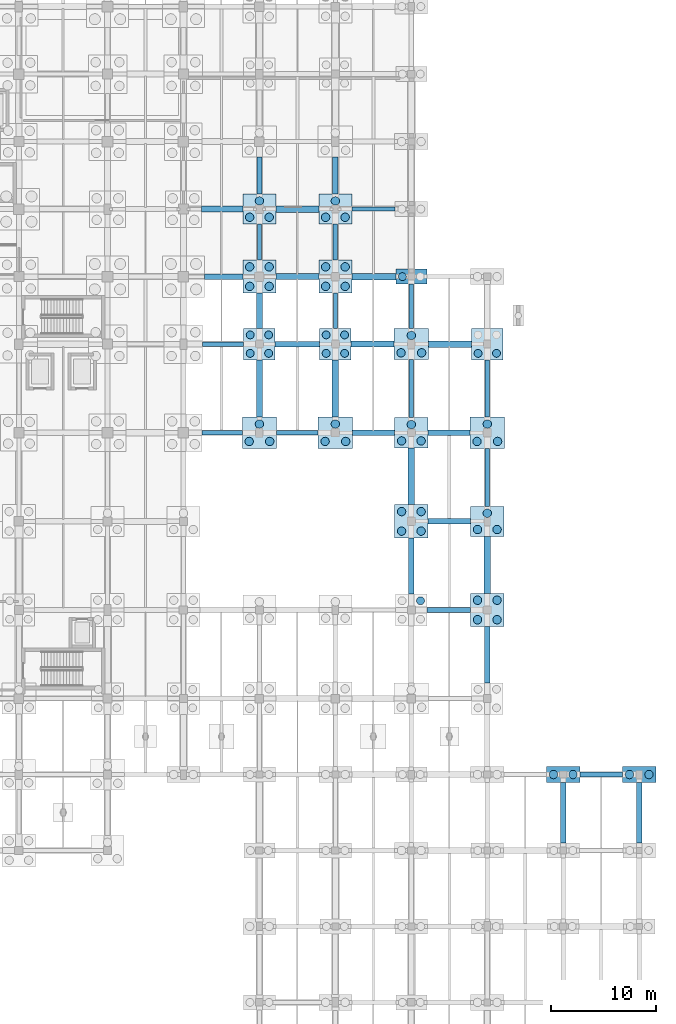
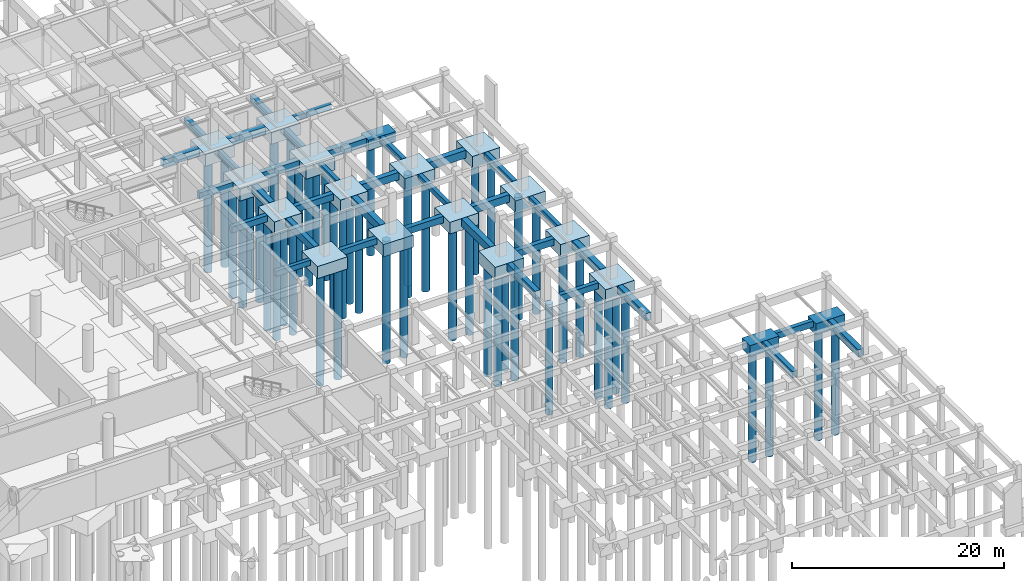
# One storey, part 14 of 44: 56 piles, 53 footings.
"""IFC4 building model written with IfcOpenShell, lengths in metres."""

from ifc_helpers import new_model, si_unit, direction, frame, origin, origin_2d, place, context, subcontext, project, spatial, rectangle, circle, extrude, material, material_profile, profile_set, type_object, element, save


model = new_model("IFC4")

# Units and contexts
model_context = context("Model", 3, precision=1e-05, world=origin(), true_north=direction((0.0, 1.0)))
body_context = subcontext(model_context, "Body", "Model", "MODEL_VIEW")
ifc_project = project(units=[si_unit("LENGTHUNIT", "METRE"), si_unit("AREAUNIT", "SQUARE_METRE"), si_unit("VOLUMEUNIT", "CUBIC_METRE"), si_unit("PLANEANGLEUNIT", "RADIAN"), si_unit("MASSUNIT", "GRAM", prefix="KILO")], contexts=[model_context])

# Site, building, storey
site_placement = place(None, origin())
site = spatial("IfcSite", under=ifc_project, at=site_placement, CompositionType="ELEMENT")
building_placement = place(site_placement, origin())
building = spatial("IfcBuilding", under=site, at=building_placement, Name="Korsvaeld Concert Hall", CompositionType="ELEMENT")
storey_placement = place(building_placement, frame((0.0, 0.0, -4.800048828125)))
storey = spatial("IfcBuildingStorey", under=building, at=storey_placement, Name="B1", CompositionType="ELEMENT", Elevation=-4.800048828125)

# Footings
ifc_material = material(Name="Concrete C35/45", Category="concrete")
ifc_material_profile_1 = material_profile(ifc_material, rectangle(XDim=0.39990234375, YDim=0.60009765625, at=origin_2d()), Name="GTB 400x600")
ifc_profile_set_1 = profile_set([ifc_material_profile_1], Name="Concrete C35/45")
footing_type_1 = type_object("IfcFootingType", Name="GTB-400x600", PredefinedType="FOOTING_BEAM", material=ifc_profile_set_1)
footing_1_placement = place(storey_placement, frame((126.574951171875, 68.39990234375, -0.300048828125), z_axis=(1.0, 0.0, 0.0), x_axis=(0.0, 1.0, 0.0)))
element("IfcFooting", 1, at=footing_1_placement, inside=storey, type_object=footing_type_1, Name="Ground tie beam 17-18/K", PredefinedType="FOOTING_BEAM", context=body_context, shape_type="SweptSolid", body=[
    extrude(rectangle(XDim=0.39990234375, YDim=0.60009765625, at=origin_2d()), origin(), (0.0, 0.0, 1.0), 3.800048828125),
])
footing_2_placement = place(storey_placement, frame((140.77490234375, 89.60009765625, -0.300048828125), z_axis=(1.0, 0.0, 0.0), x_axis=(0.0, 1.0, 0.0)))
element("IfcFooting", 2, at=footing_2_placement, inside=storey, type_object=footing_type_1, Name="Ground tie beam 19-20/N", PredefinedType="FOOTING_BEAM", context=body_context, shape_type="SweptSolid", body=[
    extrude(rectangle(XDim=0.39990234375, YDim=0.60009765625, at=origin_2d()), origin(), (0.0, 0.0, 1.0), 4.10009765625),
])
footing_3_placement = place(storey_placement, frame((132.0, 84.77490234375, -0.300048828125), z_axis=(0.0, 1.0, 0.0), x_axis=(-1.0, 0.0, 0.0)))
element("IfcFooting", 3, at=footing_3_placement, inside=storey, type_object=footing_type_1, Name="Ground tie beam 18/M-N", PredefinedType="FOOTING_BEAM", context=body_context, shape_type="SweptSolid", body=[
    extrude(rectangle(XDim=0.39990234375, YDim=0.60009765625, at=origin_2d()), origin(), (0.0, 0.0, 1.0), 3.400146484375),
])
footing_4_placement = place(storey_placement, frame((139.199951171875, 78.300048828125, -0.300048828125), z_axis=(0.0, 1.0, 0.0), x_axis=(-1.0, 0.0, 0.0)))
element("IfcFooting", 4, at=footing_4_placement, inside=storey, type_object=footing_type_1, Name="Ground tie beam 19/L-M", PredefinedType="FOOTING_BEAM", context=body_context, shape_type="SweptSolid", body=[
    extrude(rectangle(XDim=0.39990234375, YDim=0.60009765625, at=origin_2d()), origin(), (0.0, 0.0, 1.0), 3.324951171875),
])
for number, where, z_axis, x_axis, name in (
    (5, (146.39990234375, 69.824951171875, -0.300048828125), (0.0, 1.0, 0.0), (-1.0, 0.0, 0.0), "Ground tie beam 20/K-L"),
    (6, (153.60009765625, 61.425048828125, -0.300048828125), (0.0, 1.0, 0.0), (-1.0, 0.0, 0.0), "Ground tie beam 21/J-K"),
):
    element("IfcFooting", number, at=place(storey_placement, frame(where, z_axis=z_axis, x_axis=x_axis)), inside=storey, type_object=footing_type_1, Name=name, PredefinedType="FOOTING_BEAM", context=body_context, shape_type="SweptSolid", body=[
        extrude(rectangle(XDim=0.39990234375, YDim=0.60009765625, at=origin_2d()), origin(), (0.0, 0.0, 1.0), 5.5),
    ])
ifc_material_profile_2 = material_profile(ifc_material, rectangle(XDim=0.449951171875, YDim=0.699951171875, at=origin_2d()), Name="GTB 450x700")
ifc_profile_set_2 = profile_set([ifc_material_profile_2], Name="Concrete C35/45")
footing_type_2 = type_object("IfcFootingType", Name="GTB-450x700", PredefinedType="FOOTING_BEAM", material=ifc_profile_set_2)
footing_5_placement = place(storey_placement, frame((162.375, 36.0, -0.349853515625), z_axis=(1.0, 0.0, 0.0), x_axis=(0.0, 1.0, 0.0)))
element("IfcFooting", 7, at=footing_5_placement, inside=storey, type_object=footing_type_2, Name="Ground tie beam 22-23/F", PredefinedType="FOOTING_BEAM", context=body_context, shape_type="SweptSolid", body=[
    extrude(rectangle(XDim=0.449951171875, YDim=0.699951171875, at=origin_2d()), origin(), (0.0, 0.0, 1.0), 4.050048828125),
])
footing_6_placement = place(storey_placement, frame((147.89990234375, 51.60009765625, -0.349853515625), z_axis=(1.0, 0.0, 0.0), x_axis=(0.0, 1.0, 0.0)))
element("IfcFooting", 8, at=footing_6_placement, inside=storey, type_object=footing_type_2, Name="Ground tie beam 20-21/H", PredefinedType="FOOTING_BEAM", context=body_context, shape_type="SweptSolid", body=[
    extrude(rectangle(XDim=0.449951171875, YDim=0.699951171875, at=origin_2d()), origin(), (0.0, 0.0, 1.0), 4.125),
])
footing_7_placement = place(storey_placement, frame((133.625, 68.39990234375, -0.349853515625), z_axis=(1.0, 0.0, 0.0), x_axis=(0.0, 1.0, 0.0)))
element("IfcFooting", 9, at=footing_7_placement, inside=storey, type_object=footing_type_2, Name="Ground tie beam 18-19/K", PredefinedType="FOOTING_BEAM", context=body_context, shape_type="SweptSolid", body=[
    extrude(rectangle(XDim=0.449951171875, YDim=0.699951171875, at=origin_2d()), origin(), (0.0, 0.0, 1.0), 3.949951171875),
])
footing_8_placement = place(storey_placement, frame((126.625, 76.800048828125, -0.349853515625), z_axis=(1.0, 0.0, 0.0), x_axis=(0.0, 1.0, 0.0)))
element("IfcFooting", 10, at=footing_8_placement, inside=storey, type_object=footing_type_2, Name="Ground tie beam 17-18/L", PredefinedType="FOOTING_BEAM", context=body_context, shape_type="SweptSolid", body=[
    extrude(rectangle(XDim=0.449951171875, YDim=0.699951171875, at=origin_2d()), origin(), (0.0, 0.0, 1.0), 3.875),
])
footing_9_placement = place(storey_placement, frame((132.0, 91.02490234375, -0.349853515625), z_axis=(0.0, 1.0, 0.0), x_axis=(-1.0, 0.0, 0.0)))
element("IfcFooting", 11, at=footing_9_placement, inside=storey, type_object=footing_type_2, Name="Ground tie beam 18/N-P", PredefinedType="FOOTING_BEAM", context=body_context, shape_type="SweptSolid", body=[
    extrude(rectangle(XDim=0.449951171875, YDim=0.699951171875, at=origin_2d()), origin(), (0.0, 0.0, 1.0), 3.5),
])
footing_10_placement = place(storey_placement, frame((139.199951171875, 84.77490234375, -0.349853515625), z_axis=(0.0, 1.0, 0.0), x_axis=(-1.0, 0.0, 0.0)))
element("IfcFooting", 12, at=footing_10_placement, inside=storey, type_object=footing_type_2, Name="Ground tie beam 19/M-N", PredefinedType="FOOTING_BEAM", context=body_context, shape_type="SweptSolid", body=[
    extrude(rectangle(XDim=0.449951171875, YDim=0.699951171875, at=origin_2d()), origin(), (0.0, 0.0, 1.0), 3.400146484375),
])
footing_11_placement = place(storey_placement, frame((146.39990234375, 78.27490234375, -0.349853515625), z_axis=(0.0, 1.0, 0.0), x_axis=(-1.0, 0.0, 0.0)))
element("IfcFooting", 13, at=footing_11_placement, inside=storey, type_object=footing_type_2, Name="Ground tie beam 20/L-M", PredefinedType="FOOTING_BEAM", context=body_context, shape_type="SweptSolid", body=[
    extrude(rectangle(XDim=0.449951171875, YDim=0.699951171875, at=origin_2d()), origin(), (0.0, 0.0, 1.0), 4.22509765625),
])
footing_12_placement = place(storey_placement, frame((153.60009765625, 69.875, -0.349853515625), z_axis=(0.0, 1.0, 0.0), x_axis=(-1.0, 0.0, 0.0)))
element("IfcFooting", 14, at=footing_12_placement, inside=storey, type_object=footing_type_2, Name="Ground tie beam 21/K-L", PredefinedType="FOOTING_BEAM", context=body_context, shape_type="SweptSolid", body=[
    extrude(rectangle(XDim=0.449951171875, YDim=0.699951171875, at=origin_2d()), origin(), (0.0, 0.0, 1.0), 5.425048828125),
])
ifc_material_profile_3 = material_profile(ifc_material, rectangle(XDim=0.5, YDim=0.75, at=origin_2d()), Name="GTB 500x750")
ifc_profile_set_3 = profile_set([ifc_material_profile_3], Name="Concrete C35/45")
footing_type_3 = type_object("IfcFootingType", Name="GTB-500x750", PredefinedType="FOOTING_BEAM", material=ifc_profile_set_3)
footing_13_placement = place(storey_placement, frame((147.97509765625, 60.0, -0.375), z_axis=(1.0, 0.0, 0.0), x_axis=(0.0, 1.0, 0.0)))
element("IfcFooting", 15, at=footing_13_placement, inside=storey, type_object=footing_type_3, Name="Ground tie beam 20-21/J", PredefinedType="FOOTING_BEAM", context=body_context, shape_type="SweptSolid", body=[
    extrude(rectangle(XDim=0.5, YDim=0.75, at=origin_2d()), origin(), (0.0, 0.0, 1.0), 4.0498046875),
])
footing_14_placement = place(storey_placement, frame((140.824951171875, 68.39990234375, -0.375), z_axis=(1.0, 0.0, 0.0), x_axis=(0.0, 1.0, 0.0)))
element("IfcFooting", 16, at=footing_14_placement, inside=storey, type_object=footing_type_3, Name="Ground tie beam 19-20/K", PredefinedType="FOOTING_BEAM", context=body_context, shape_type="SweptSolid", body=[
    extrude(rectangle(XDim=0.5, YDim=0.75, at=origin_2d()), origin(), (0.0, 0.0, 1.0), 4.0),
])
footing_15_placement = place(storey_placement, frame((133.5, 76.800048828125, -0.375), z_axis=(1.0, 0.0, 0.0), x_axis=(0.0, 1.0, 0.0)))
element("IfcFooting", 17, at=footing_15_placement, inside=storey, type_object=footing_type_3, Name="Ground tie beam 18-19/L", PredefinedType="FOOTING_BEAM", context=body_context, shape_type="SweptSolid", body=[
    extrude(rectangle(XDim=0.5, YDim=0.75, at=origin_2d()), origin(), (0.0, 0.0, 1.0), 4.199951171875),
])
footing_16_placement = place(storey_placement, frame((126.77490234375, 83.199951171875, -0.375), z_axis=(1.0, 0.0, 0.0), x_axis=(0.0, 1.0, 0.0)))
element("IfcFooting", 18, at=footing_16_placement, inside=storey, type_object=footing_type_3, Name="Ground tie beam 17-18/M", PredefinedType="FOOTING_BEAM", context=body_context, shape_type="SweptSolid", body=[
    extrude(rectangle(XDim=0.5, YDim=0.75, at=origin_2d()), origin(), (0.0, 0.0, 1.0), 3.650146484375),
])
footing_17_placement = place(storey_placement, frame((139.199951171875, 91.02490234375, -0.375), z_axis=(0.0, 1.0, 0.0), x_axis=(-1.0, 0.0, 0.0)))
element("IfcFooting", 19, at=footing_17_placement, inside=storey, type_object=footing_type_3, Name="Ground tie beam 19/N-P", PredefinedType="FOOTING_BEAM", context=body_context, shape_type="SweptSolid", body=[
    extrude(rectangle(XDim=0.5, YDim=0.75, at=origin_2d()), origin(), (0.0, 0.0, 1.0), 3.5),
])
footing_18_placement = place(storey_placement, frame((160.800048828125, 29.52490234375, -0.375), z_axis=(0.0, 1.0, 0.0), x_axis=(-1.0, 0.0, 0.0)))
element("IfcFooting", 20, at=footing_18_placement, inside=storey, type_object=footing_type_3, Name="Ground tie beam 22/E-F", PredefinedType="FOOTING_BEAM", context=body_context, shape_type="SweptSolid", body=[
    extrude(rectangle(XDim=0.5, YDim=0.75, at=origin_2d()), origin(), (0.0, 0.0, 1.0), 5.72509765625),
])
ifc_material_profile_4 = material_profile(ifc_material, rectangle(XDim=0.550048828125, YDim=0.85009765625, at=origin_2d()), Name="GTB 550x850")
ifc_profile_set_4 = profile_set([ifc_material_profile_4], Name="Concrete C35/45")
footing_type_4 = type_object("IfcFootingType", Name="GTB-550x850", PredefinedType="FOOTING_BEAM", material=ifc_profile_set_4)
footing_19_placement = place(storey_placement, frame((147.97509765625, 68.39990234375, -0.425048828125), z_axis=(1.0, 0.0, 0.0), x_axis=(0.0, 1.0, 0.0)))
element("IfcFooting", 21, at=footing_19_placement, inside=storey, type_object=footing_type_4, Name="Ground tie beam 20-21/K", PredefinedType="FOOTING_BEAM", context=body_context, shape_type="SweptSolid", body=[
    extrude(rectangle(XDim=0.550048828125, YDim=0.85009765625, at=origin_2d()), origin(), (0.0, 0.0, 1.0), 4.0),
])
footing_20_placement = place(storey_placement, frame((140.699951171875, 76.800048828125, -0.425048828125), z_axis=(1.0, 0.0, 0.0), x_axis=(0.0, 1.0, 0.0)))
element("IfcFooting", 22, at=footing_20_placement, inside=storey, type_object=footing_type_4, Name="Ground tie beam 19-20/L", PredefinedType="FOOTING_BEAM", context=body_context, shape_type="SweptSolid", body=[
    extrude(rectangle(XDim=0.550048828125, YDim=0.85009765625, at=origin_2d()), origin(), (0.0, 0.0, 1.0), 4.074951171875),
])
footing_21_placement = place(storey_placement, frame((133.574951171875, 83.199951171875, -0.425048828125), z_axis=(1.0, 0.0, 0.0), x_axis=(0.0, 1.0, 0.0)))
element("IfcFooting", 23, at=footing_21_placement, inside=storey, type_object=footing_type_4, Name="Ground tie beam 18-19/M", PredefinedType="FOOTING_BEAM", context=body_context, shape_type="SweptSolid", body=[
    extrude(rectangle(XDim=0.550048828125, YDim=0.85009765625, at=origin_2d()), origin(), (0.0, 0.0, 1.0), 4.050048828125),
])
footing_22_placement = place(storey_placement, frame((126.52490234375, 89.60009765625, -0.425048828125), z_axis=(1.0, 0.0, 0.0), x_axis=(0.0, 1.0, 0.0)))
element("IfcFooting", 24, at=footing_22_placement, inside=storey, type_object=footing_type_4, Name="Ground tie beam 17-18/N", PredefinedType="FOOTING_BEAM", context=body_context, shape_type="SweptSolid", body=[
    extrude(rectangle(XDim=0.550048828125, YDim=0.85009765625, at=origin_2d()), origin(), (0.0, 0.0, 1.0), 3.900146484375),
])
footing_23_placement = place(storey_placement, frame((132.0, 69.875, -0.425048828125), z_axis=(0.0, 1.0, 0.0), x_axis=(-1.0, 0.0, 0.0)))
element("IfcFooting", 25, at=footing_23_placement, inside=storey, type_object=footing_type_4, Name="Ground tie beam 18/K-L", PredefinedType="FOOTING_BEAM", context=body_context, shape_type="SweptSolid", body=[
    extrude(rectangle(XDim=0.550048828125, YDim=0.85009765625, at=origin_2d()), origin(), (0.0, 0.0, 1.0), 5.425048828125),
])
for number, where, z_axis, x_axis, name in (
    (26, (146.39990234375, 53.10009765625, -0.425048828125), (0.0, 1.0, 0.0), (-1.0, 0.0, 0.0), "Ground tie beam 20/H-J"),
    (27, (153.60009765625, 44.699951171875, -0.425048828125), (0.0, 1.0, 0.0), (-1.0, 0.0, 0.0), "Ground tie beam 21/G-H"),
):
    element("IfcFooting", number, at=place(storey_placement, frame(where, z_axis=z_axis, x_axis=x_axis)), inside=storey, type_object=footing_type_4, Name=name, PredefinedType="FOOTING_BEAM", context=body_context, shape_type="SweptSolid", body=[
        extrude(rectangle(XDim=0.550048828125, YDim=0.85009765625, at=origin_2d()), origin(), (0.0, 0.0, 1.0), 5.324951171875),
    ])
footing_24_placement = place(storey_placement, frame((168.0, 29.52490234375, -0.425048828125), z_axis=(0.0, 1.0, 0.0), x_axis=(-1.0, 0.0, 0.0)))
element("IfcFooting", 28, at=footing_24_placement, inside=storey, type_object=footing_type_4, Name="Ground tie beam 23/E-F", PredefinedType="FOOTING_BEAM", context=body_context, shape_type="SweptSolid", body=[
    extrude(rectangle(XDim=0.550048828125, YDim=0.85009765625, at=origin_2d()), origin(), (0.0, 0.0, 1.0), 5.72509765625),
])
ifc_material_profile_5 = material_profile(ifc_material, rectangle(XDim=0.60009765625, YDim=0.89990234375, at=origin_2d()), Name="GTB 600x900")
ifc_profile_set_5 = profile_set([ifc_material_profile_5], Name="Concrete C35/45")
footing_type_5 = type_object("IfcFootingType", Name="GTB-600x900", PredefinedType="FOOTING_BEAM", material=ifc_profile_set_5)
footing_25_placement = place(storey_placement, frame((148.02490234375, 76.800048828125, -0.449951171875), z_axis=(1.0, 0.0, 0.0), x_axis=(0.0, 1.0, 0.0)))
element("IfcFooting", 29, at=footing_25_placement, inside=storey, type_object=footing_type_5, Name="Ground tie beam 20-21/L", PredefinedType="FOOTING_BEAM", context=body_context, shape_type="SweptSolid", body=[
    extrude(rectangle(XDim=0.60009765625, YDim=0.89990234375, at=origin_2d()), origin(), (0.0, 0.0, 1.0), 4.0751953125),
])
footing_26_placement = place(storey_placement, frame((140.77490234375, 83.199951171875, -0.449951171875), z_axis=(1.0, 0.0, 0.0), x_axis=(0.0, 1.0, 0.0)))
element("IfcFooting", 30, at=footing_26_placement, inside=storey, type_object=footing_type_5, Name="Ground tie beam 19-20/M", PredefinedType="FOOTING_BEAM", context=body_context, shape_type="SweptSolid", body=[
    extrude(rectangle(XDim=0.60009765625, YDim=0.89990234375, at=origin_2d()), origin(), (0.0, 0.0, 1.0), 4.150146484375),
])
footing_27_placement = place(storey_placement, frame((133.574951171875, 89.60009765625, -0.449951171875), z_axis=(1.0, 0.0, 0.0), x_axis=(0.0, 1.0, 0.0)))
element("IfcFooting", 31, at=footing_27_placement, inside=storey, type_object=footing_type_5, Name="Ground tie beam 18-19/N", PredefinedType="FOOTING_BEAM", context=body_context, shape_type="SweptSolid", body=[
    extrude(rectangle(XDim=0.60009765625, YDim=0.89990234375, at=origin_2d()), origin(), (0.0, 0.0, 1.0), 4.050048828125),
])
footing_28_placement = place(storey_placement, frame((132.0, 78.300048828125, -0.449951171875), z_axis=(0.0, 1.0, 0.0), x_axis=(-1.0, 0.0, 0.0)))
element("IfcFooting", 32, at=footing_28_placement, inside=storey, type_object=footing_type_5, Name="Ground tie beam 18/L-M", PredefinedType="FOOTING_BEAM", context=body_context, shape_type="SweptSolid", body=[
    extrude(rectangle(XDim=0.60009765625, YDim=0.89990234375, at=origin_2d()), origin(), (0.0, 0.0, 1.0), 3.324951171875),
])
footing_29_placement = place(storey_placement, frame((139.199951171875, 69.875, -0.449951171875), z_axis=(0.0, 1.0, 0.0), x_axis=(-1.0, 0.0, 0.0)))
element("IfcFooting", 33, at=footing_29_placement, inside=storey, type_object=footing_type_5, Name="Ground tie beam 19/K-L", PredefinedType="FOOTING_BEAM", context=body_context, shape_type="SweptSolid", body=[
    extrude(rectangle(XDim=0.60009765625, YDim=0.89990234375, at=origin_2d()), origin(), (0.0, 0.0, 1.0), 5.425048828125),
])
footing_30_placement = place(storey_placement, frame((146.39990234375, 61.574951171875, -0.449951171875), z_axis=(0.0, 1.0, 0.0), x_axis=(-1.0, 0.0, 0.0)))
element("IfcFooting", 34, at=footing_30_placement, inside=storey, type_object=footing_type_5, Name="Ground tie beam 20/J-K", PredefinedType="FOOTING_BEAM", context=body_context, shape_type="SweptSolid", body=[
    extrude(rectangle(XDim=0.60009765625, YDim=0.89990234375, at=origin_2d()), origin(), (0.0, 0.0, 1.0), 5.400146484375),
])
footing_31_placement = place(storey_placement, frame((153.60009765625, 53.175048828125, -0.449951171875), z_axis=(0.0, 1.0, 0.0), x_axis=(-1.0, 0.0, 0.0)))
element("IfcFooting", 35, at=footing_31_placement, inside=storey, type_object=footing_type_5, Name="Ground tie beam 21/H-J", PredefinedType="FOOTING_BEAM", context=body_context, shape_type="SweptSolid", body=[
    extrude(rectangle(XDim=0.60009765625, YDim=0.89990234375, at=origin_2d()), origin(), (0.0, 0.0, 1.0), 5.39990234375),
])
footing_type_6 = type_object("IfcFootingType", Name="PC-2P-240x130x120", PredefinedType="PILE_CAP", material=ifc_material)
footing_32_placement = place(storey_placement, frame((146.39990234375, 83.199951171875, -1.19970703125), z_axis=(0.0, 0.0, 1.0), x_axis=(1.0, 0.0, 0.0)))
element("IfcFooting", 36, at=footing_32_placement, inside=storey, type_object=footing_type_6, Name="Pile cap 20/M", PredefinedType="PILE_CAP", context=body_context, shape_type="SweptSolid", body=[
    extrude(rectangle(XDim=2.949951171875, YDim=1.39990234375, at=origin_2d()), origin(), (0.0, 0.0, 1.0), 1.199951171875),
])
footing_type_7 = type_object("IfcFootingType", Name="PC-2P-280x150x130", PredefinedType="PILE_CAP", material=ifc_material)
for number, where, z_axis, x_axis, name in (
    (37, (160.800048828125, 36.0, -1.2998046875), (0.0, 0.0, 1.0), (1.0, 0.0, 0.0), "Pile cap 22/F"),
    (38, (168.0, 36.0, -1.2998046875), (0.0, 0.0, 1.0), (1.0, 0.0, 0.0), "Pile cap 23/F"),
):
    element("IfcFooting", number, at=place(storey_placement, frame(where, z_axis=z_axis, x_axis=x_axis)), inside=storey, type_object=footing_type_7, Name=name, PredefinedType="PILE_CAP", context=body_context, shape_type="SweptSolid", body=[
        extrude(rectangle(XDim=3.14990234375, YDim=1.5, at=origin_2d()), origin(), (0.0, 0.0, 1.0), 1.300048828125),
    ])
footing_type_8 = type_object("IfcFootingType", Name="PC-3P-290x260x135", PredefinedType="PILE_CAP", material=ifc_material)
for number, where, z_axis, x_axis, name in (
    (39, (132.0, 89.60009765625, -1.35009765625), (0.0, 0.0, 1.0), (1.0, 0.0, 0.0), "Pile cap 18/N"),
    (40, (139.199951171875, 89.60009765625, -1.35009765625), (0.0, 0.0, 1.0), (1.0, 0.0, 0.0), "Pile cap 19/N"),
    (41, (146.39990234375, 68.39990234375, -1.35009765625), (0.0, 0.0, 1.0), (1.0, 0.0, 0.0), "Pile cap 20/K"),
    (42, (153.60009765625, 60.0, -1.35009765625), (0.0, 0.0, 1.0), (1.0, 0.0, 0.0), "Pile cap 21/J"),
):
    element("IfcFooting", number, at=place(storey_placement, frame(where, z_axis=z_axis, x_axis=x_axis)), inside=storey, type_object=footing_type_8, Name=name, PredefinedType="PILE_CAP", context=body_context, shape_type="SweptSolid", body=[
        extrude(rectangle(XDim=3.14990234375, YDim=2.85009765625, at=origin_2d()), origin(), (0.0, 0.0, 1.0), 1.35009765625),
    ])
footing_type_9 = type_object("IfcFootingType", Name="PC-3P-310x280x140", PredefinedType="PILE_CAP", material=ifc_material)
for number, where, z_axis, x_axis, name in (
    (43, (132.0, 68.39990234375, -1.39990234375), (0.0, 0.0, 1.0), (1.0, 0.0, 0.0), "Pile cap 18/K"),
    (44, (139.199951171875, 68.39990234375, -1.39990234375), (0.0, 0.0, 1.0), (1.0, 0.0, 0.0), "Pile cap 19/K"),
    (45, (146.39990234375, 76.800048828125, -1.39990234375), (0.0, 0.0, 1.0), (1.0, 0.0, 0.0), "Pile cap 20/L"),
    (46, (153.60009765625, 68.39990234375, -1.39990234375), (0.0, 0.0, 1.0), (1.0, 0.0, 0.0), "Pile cap 21/K"),
):
    element("IfcFooting", number, at=place(storey_placement, frame(where, z_axis=z_axis, x_axis=x_axis)), inside=storey, type_object=footing_type_9, Name=name, PredefinedType="PILE_CAP", context=body_context, shape_type="SweptSolid", body=[
        extrude(rectangle(XDim=3.25, YDim=2.949951171875, at=origin_2d()), origin(), (0.0, 0.0, 1.0), 1.39990234375),
    ])
footing_type_10 = type_object("IfcFootingType", Name="PC-4P-280x280x135", PredefinedType="PILE_CAP", material=ifc_material)
for number, where, z_axis, x_axis, name in (
    (47, (132.0, 76.800048828125, -1.35009765625), (0.0, 0.0, 1.0), (1.0, 0.0, 0.0), "Pile cap 18/L"),
    (48, (139.199951171875, 76.800048828125, -1.35009765625), (0.0, 0.0, 1.0), (1.0, 0.0, 0.0), "Pile cap 19/L"),
    (49, (153.60009765625, 76.800048828125, -1.35009765625), (0.0, 0.0, 1.0), (1.0, 0.0, 0.0), "Pile cap 21/L"),
):
    element("IfcFooting", number, at=place(storey_placement, frame(where, z_axis=z_axis, x_axis=x_axis)), inside=storey, type_object=footing_type_10, Name=name, PredefinedType="PILE_CAP", context=body_context, shape_type="SweptSolid", body=[
        extrude(rectangle(XDim=3.0, YDim=3.0, at=origin_2d()), origin(), (0.0, 0.0, 1.0), 1.35009765625),
    ])
footing_type_11 = type_object("IfcFootingType", Name="PC-4P-300x300x140", PredefinedType="PILE_CAP", material=ifc_material)
for number, where, z_axis, x_axis, name in (
    (50, (132.0, 83.199951171875, -1.39990234375), (0.0, 0.0, 1.0), (1.0, 0.0, 0.0), "Pile cap 18/M"),
    (51, (139.199951171875, 83.199951171875, -1.39990234375), (0.0, 0.0, 1.0), (1.0, 0.0, 0.0), "Pile cap 19/M"),
    (52, (146.39990234375, 60.0, -1.39990234375), (0.0, 0.0, 1.0), (1.0, 0.0, 0.0), "Pile cap 20/J"),
    (53, (153.60009765625, 51.60009765625, -1.39990234375), (0.0, 0.0, 1.0), (1.0, 0.0, 0.0), "Pile cap 21/H"),
):
    element("IfcFooting", number, at=place(storey_placement, frame(where, z_axis=z_axis, x_axis=x_axis)), inside=storey, type_object=footing_type_11, Name=name, PredefinedType="PILE_CAP", context=body_context, shape_type="SweptSolid", body=[
        extrude(rectangle(XDim=3.14990234375, YDim=3.14990234375, at=origin_2d()), origin(), (0.0, 0.0, 1.0), 1.39990234375),
    ])

# Piles
ifc_material_profile_6 = material_profile(ifc_material, circle(Radius=0.375, at=origin_2d()), Name="BORED PILE D750")
ifc_profile_set_6 = profile_set([ifc_material_profile_6], Name="Concrete C35/45")
pile_type_1 = type_object("IfcPileType", Name="PILE-D750", PredefinedType="BORED", material=ifc_profile_set_6)
for number, where, z_axis, x_axis, name in (
    (54, (131.125, 75.925048828125, -1.25), (0.0, 0.0, -1.0), (1.0, 0.0, 0.0), "Bored pile 18/L-1"),
    (55, (132.875, 75.925048828125, -1.25), (0.0, 0.0, -1.0), (1.0, 0.0, 0.0), "Bored pile 18/L-2"),
    (56, (131.125, 77.675048828125, -1.25), (0.0, 0.0, -1.0), (1.0, 0.0, 0.0), "Bored pile 18/L-3"),
    (57, (132.875, 77.675048828125, -1.25), (0.0, 0.0, -1.0), (1.0, 0.0, 0.0), "Bored pile 18/L-4"),
    (58, (138.324951171875, 75.925048828125, -1.25), (0.0, 0.0, -1.0), (1.0, 0.0, 0.0), "Bored pile 19/L-1"),
    (59, (140.074951171875, 75.925048828125, -1.25), (0.0, 0.0, -1.0), (1.0, 0.0, 0.0), "Bored pile 19/L-2"),
    (60, (138.324951171875, 77.675048828125, -1.25), (0.0, 0.0, -1.0), (1.0, 0.0, 0.0), "Bored pile 19/L-3"),
    (61, (140.074951171875, 77.675048828125, -1.25), (0.0, 0.0, -1.0), (1.0, 0.0, 0.0), "Bored pile 19/L-4"),
    (62, (147.27490234375, 52.47509765625, -1.25), (0.0, 0.0, -1.0), (1.0, 0.0, 0.0), "Bored pile 20/H-4"),
):
    element("IfcPile", number, at=place(storey_placement, frame(where, z_axis=z_axis, x_axis=x_axis)), inside=storey, type_object=pile_type_1, Name=name, PredefinedType="BORED", context=body_context, shape_type="SweptSolid", body=[
        extrude(circle(Radius=0.375, at=origin_2d()), origin(), (0.0, 0.0, 1.0), 12.75),
    ])
pile_placement = place(storey_placement, frame((145.550048828125, 83.199951171875, -1.099853515625), z_axis=(0.0, 0.0, -1.0), x_axis=(1.0, 0.0, 0.0)))
element("IfcPile", 63, at=pile_placement, inside=storey, type_object=pile_type_1, Name="Bored pile 20/M-1", PredefinedType="BORED", context=body_context, shape_type="SweptSolid", body=[
    extrude(circle(Radius=0.375, at=origin_2d()), origin(), (0.0, 0.0, 1.0), 12.60009765625),
])
for number, where, z_axis, x_axis, name in (
    (64, (152.72509765625, 75.925048828125, -1.25), (0.0, 0.0, -1.0), (1.0, 0.0, 0.0), "Bored pile 21/L-1"),
    (65, (154.47509765625, 75.925048828125, -1.25), (0.0, 0.0, -1.0), (1.0, 0.0, 0.0), "Bored pile 21/L-2"),
):
    element("IfcPile", number, at=place(storey_placement, frame(where, z_axis=z_axis, x_axis=x_axis)), inside=storey, type_object=pile_type_1, Name=name, PredefinedType="BORED", context=body_context, shape_type="SweptSolid", body=[
        extrude(circle(Radius=0.375, at=origin_2d()), origin(), (0.0, 0.0, 1.0), 12.75),
    ])
ifc_material_profile_7 = material_profile(ifc_material, circle(Radius=0.39990234375, at=origin_2d()), Name="BORED PILE D800")
ifc_profile_set_7 = profile_set([ifc_material_profile_7], Name="Concrete C35/45")
pile_type_2 = type_object("IfcPileType", Name="PILE-D800", PredefinedType="BORED", material=ifc_profile_set_7)
for number, where, z_axis, x_axis, name in (
    (66, (131.02490234375, 67.574951171875, -1.300048828125), (0.0, 0.0, -1.0), (1.0, 0.0, 0.0), "Bored pile 18/K-1"),
    (67, (132.97509765625, 67.574951171875, -1.300048828125), (0.0, 0.0, -1.0), (1.0, 0.0, 0.0), "Bored pile 18/K-2"),
    (68, (132.0, 69.22509765625, -1.300048828125), (0.0, 0.0, -1.0), (1.0, 0.0, 0.0), "Bored pile 18/K-3"),
    (69, (131.074951171875, 82.27490234375, -1.300048828125), (0.0, 0.0, -1.0), (1.0, 0.0, 0.0), "Bored pile 18/M-1"),
    (70, (132.925048828125, 82.27490234375, -1.300048828125), (0.0, 0.0, -1.0), (1.0, 0.0, 0.0), "Bored pile 18/M-2"),
    (71, (131.074951171875, 84.125, -1.300048828125), (0.0, 0.0, -1.0), (1.0, 0.0, 0.0), "Bored pile 18/M-3"),
    (72, (132.925048828125, 84.125, -1.300048828125), (0.0, 0.0, -1.0), (1.0, 0.0, 0.0), "Bored pile 18/M-4"),
):
    element("IfcPile", number, at=place(storey_placement, frame(where, z_axis=z_axis, x_axis=x_axis)), inside=storey, type_object=pile_type_2, Name=name, PredefinedType="BORED", context=body_context, shape_type="SweptSolid", body=[
        extrude(circle(Radius=0.39990234375, at=origin_2d()), origin(), (0.0, 0.0, 1.0), 12.800048828125),
    ])
for number, where, z_axis, x_axis, name in (
    (73, (131.074951171875, 88.824951171875, -1.25), (0.0, 0.0, -1.0), (1.0, 0.0, 0.0), "Bored pile 18/N-1"),
    (74, (132.925048828125, 88.824951171875, -1.25), (0.0, 0.0, -1.0), (1.0, 0.0, 0.0), "Bored pile 18/N-2"),
    (75, (132.0, 90.375, -1.25), (0.0, 0.0, -1.0), (1.0, 0.0, 0.0), "Bored pile 18/N-3"),
):
    element("IfcPile", number, at=place(storey_placement, frame(where, z_axis=z_axis, x_axis=x_axis)), inside=storey, type_object=pile_type_2, Name=name, PredefinedType="BORED", context=body_context, shape_type="SweptSolid", body=[
        extrude(circle(Radius=0.39990234375, at=origin_2d()), origin(), (0.0, 0.0, 1.0), 12.75),
    ])
for number, where, z_axis, x_axis, name in (
    (76, (138.22509765625, 67.574951171875, -1.300048828125), (0.0, 0.0, -1.0), (1.0, 0.0, 0.0), "Bored pile 19/K-1"),
    (77, (140.175048828125, 67.574951171875, -1.300048828125), (0.0, 0.0, -1.0), (1.0, 0.0, 0.0), "Bored pile 19/K-2"),
    (78, (139.199951171875, 69.22509765625, -1.300048828125), (0.0, 0.0, -1.0), (1.0, 0.0, 0.0), "Bored pile 19/K-3"),
    (79, (138.27490234375, 82.27490234375, -1.300048828125), (0.0, 0.0, -1.0), (1.0, 0.0, 0.0), "Bored pile 19/M-1"),
    (80, (140.125, 82.27490234375, -1.300048828125), (0.0, 0.0, -1.0), (1.0, 0.0, 0.0), "Bored pile 19/M-2"),
    (81, (138.27490234375, 84.125, -1.300048828125), (0.0, 0.0, -1.0), (1.0, 0.0, 0.0), "Bored pile 19/M-3"),
    (82, (140.125, 84.125, -1.300048828125), (0.0, 0.0, -1.0), (1.0, 0.0, 0.0), "Bored pile 19/M-4"),
):
    element("IfcPile", number, at=place(storey_placement, frame(where, z_axis=z_axis, x_axis=x_axis)), inside=storey, type_object=pile_type_2, Name=name, PredefinedType="BORED", context=body_context, shape_type="SweptSolid", body=[
        extrude(circle(Radius=0.39990234375, at=origin_2d()), origin(), (0.0, 0.0, 1.0), 12.800048828125),
    ])
for number, where, z_axis, x_axis, name in (
    (83, (138.27490234375, 88.824951171875, -1.25), (0.0, 0.0, -1.0), (1.0, 0.0, 0.0), "Bored pile 19/N-1"),
    (84, (140.125, 88.824951171875, -1.25), (0.0, 0.0, -1.0), (1.0, 0.0, 0.0), "Bored pile 19/N-2"),
    (85, (139.199951171875, 90.375, -1.25), (0.0, 0.0, -1.0), (1.0, 0.0, 0.0), "Bored pile 19/N-3"),
):
    element("IfcPile", number, at=place(storey_placement, frame(where, z_axis=z_axis, x_axis=x_axis)), inside=storey, type_object=pile_type_2, Name=name, PredefinedType="BORED", context=body_context, shape_type="SweptSolid", body=[
        extrude(circle(Radius=0.39990234375, at=origin_2d()), origin(), (0.0, 0.0, 1.0), 12.75),
    ])
for number, where, z_axis, x_axis, name in (
    (86, (145.47509765625, 59.074951171875, -1.300048828125), (0.0, 0.0, -1.0), (1.0, 0.0, 0.0), "Bored pile 20/J-1"),
    (87, (147.324951171875, 59.074951171875, -1.300048828125), (0.0, 0.0, -1.0), (1.0, 0.0, 0.0), "Bored pile 20/J-2"),
    (88, (145.47509765625, 60.925048828125, -1.300048828125), (0.0, 0.0, -1.0), (1.0, 0.0, 0.0), "Bored pile 20/J-3"),
    (89, (147.324951171875, 60.925048828125, -1.300048828125), (0.0, 0.0, -1.0), (1.0, 0.0, 0.0), "Bored pile 20/J-4"),
):
    element("IfcPile", number, at=place(storey_placement, frame(where, z_axis=z_axis, x_axis=x_axis)), inside=storey, type_object=pile_type_2, Name=name, PredefinedType="BORED", context=body_context, shape_type="SweptSolid", body=[
        extrude(circle(Radius=0.39990234375, at=origin_2d()), origin(), (0.0, 0.0, 1.0), 12.800048828125),
    ])
for number, where, z_axis, x_axis, name in (
    (90, (145.47509765625, 67.625, -1.25), (0.0, 0.0, -1.0), (1.0, 0.0, 0.0), "Bored pile 20/K-1"),
    (91, (147.324951171875, 67.625, -1.25), (0.0, 0.0, -1.0), (1.0, 0.0, 0.0), "Bored pile 20/K-2"),
    (92, (146.39990234375, 69.175048828125, -1.25), (0.0, 0.0, -1.0), (1.0, 0.0, 0.0), "Bored pile 20/K-3"),
):
    element("IfcPile", number, at=place(storey_placement, frame(where, z_axis=z_axis, x_axis=x_axis)), inside=storey, type_object=pile_type_2, Name=name, PredefinedType="BORED", context=body_context, shape_type="SweptSolid", body=[
        extrude(circle(Radius=0.39990234375, at=origin_2d()), origin(), (0.0, 0.0, 1.0), 12.75),
    ])
for number, where, z_axis, x_axis, name in (
    (93, (145.425048828125, 75.97509765625, -1.300048828125), (0.0, 0.0, -1.0), (1.0, 0.0, 0.0), "Bored pile 20/L-1"),
    (94, (147.375, 75.97509765625, -1.300048828125), (0.0, 0.0, -1.0), (1.0, 0.0, 0.0), "Bored pile 20/L-2"),
    (95, (146.39990234375, 77.625, -1.300048828125), (0.0, 0.0, -1.0), (1.0, 0.0, 0.0), "Bored pile 20/L-3"),
    (96, (152.675048828125, 50.675048828125, -1.300048828125), (0.0, 0.0, -1.0), (1.0, 0.0, 0.0), "Bored pile 21/H-1"),
    (97, (154.52490234375, 50.675048828125, -1.300048828125), (0.0, 0.0, -1.0), (1.0, 0.0, 0.0), "Bored pile 21/H-2"),
    (98, (152.675048828125, 52.52490234375, -1.300048828125), (0.0, 0.0, -1.0), (1.0, 0.0, 0.0), "Bored pile 21/H-3"),
    (99, (154.52490234375, 52.52490234375, -1.300048828125), (0.0, 0.0, -1.0), (1.0, 0.0, 0.0), "Bored pile 21/H-4"),
):
    element("IfcPile", number, at=place(storey_placement, frame(where, z_axis=z_axis, x_axis=x_axis)), inside=storey, type_object=pile_type_2, Name=name, PredefinedType="BORED", context=body_context, shape_type="SweptSolid", body=[
        extrude(circle(Radius=0.39990234375, at=origin_2d()), origin(), (0.0, 0.0, 1.0), 12.800048828125),
    ])
for number, where, z_axis, x_axis, name in (
    (100, (152.675048828125, 59.22509765625, -1.25), (0.0, 0.0, -1.0), (1.0, 0.0, 0.0), "Bored pile 21/J-1"),
    (101, (154.52490234375, 59.22509765625, -1.25), (0.0, 0.0, -1.0), (1.0, 0.0, 0.0), "Bored pile 21/J-2"),
    (102, (153.60009765625, 60.77490234375, -1.25), (0.0, 0.0, -1.0), (1.0, 0.0, 0.0), "Bored pile 21/J-3"),
):
    element("IfcPile", number, at=place(storey_placement, frame(where, z_axis=z_axis, x_axis=x_axis)), inside=storey, type_object=pile_type_2, Name=name, PredefinedType="BORED", context=body_context, shape_type="SweptSolid", body=[
        extrude(circle(Radius=0.39990234375, at=origin_2d()), origin(), (0.0, 0.0, 1.0), 12.75),
    ])
for number, where, z_axis, x_axis, name in (
    (103, (152.625, 67.574951171875, -1.300048828125), (0.0, 0.0, -1.0), (1.0, 0.0, 0.0), "Bored pile 21/K-1"),
    (104, (154.574951171875, 67.574951171875, -1.300048828125), (0.0, 0.0, -1.0), (1.0, 0.0, 0.0), "Bored pile 21/K-2"),
    (105, (153.60009765625, 69.22509765625, -1.300048828125), (0.0, 0.0, -1.0), (1.0, 0.0, 0.0), "Bored pile 21/K-3"),
):
    element("IfcPile", number, at=place(storey_placement, frame(where, z_axis=z_axis, x_axis=x_axis)), inside=storey, type_object=pile_type_2, Name=name, PredefinedType="BORED", context=body_context, shape_type="SweptSolid", body=[
        extrude(circle(Radius=0.39990234375, at=origin_2d()), origin(), (0.0, 0.0, 1.0), 12.800048828125),
    ])
for number, where, z_axis, x_axis, name in (
    (106, (159.875, 36.0, -1.199951171875), (0.0, 0.0, -1.0), (1.0, 0.0, 0.0), "Bored pile 22/F-1"),
    (107, (161.72509765625, 36.0, -1.199951171875), (0.0, 0.0, -1.0), (1.0, 0.0, 0.0), "Bored pile 22/F-2"),
    (108, (167.074951171875, 36.0, -1.199951171875), (0.0, 0.0, -1.0), (1.0, 0.0, 0.0), "Bored pile 23/F-1"),
    (109, (168.925048828125, 36.0, -1.199951171875), (0.0, 0.0, -1.0), (1.0, 0.0, 0.0), "Bored pile 23/F-2"),
):
    element("IfcPile", number, at=place(storey_placement, frame(where, z_axis=z_axis, x_axis=x_axis)), inside=storey, type_object=pile_type_2, Name=name, PredefinedType="BORED", context=body_context, shape_type="SweptSolid", body=[
        extrude(circle(Radius=0.39990234375, at=origin_2d()), origin(), (0.0, 0.0, 1.0), 12.699951171875),
    ])

save(model, "model.ifc")
